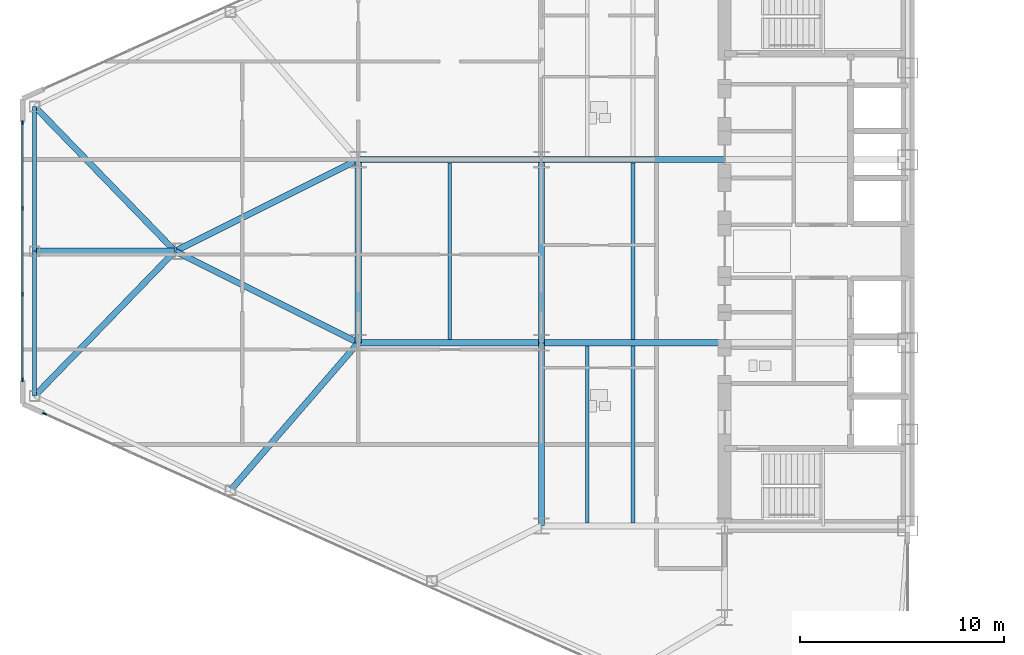
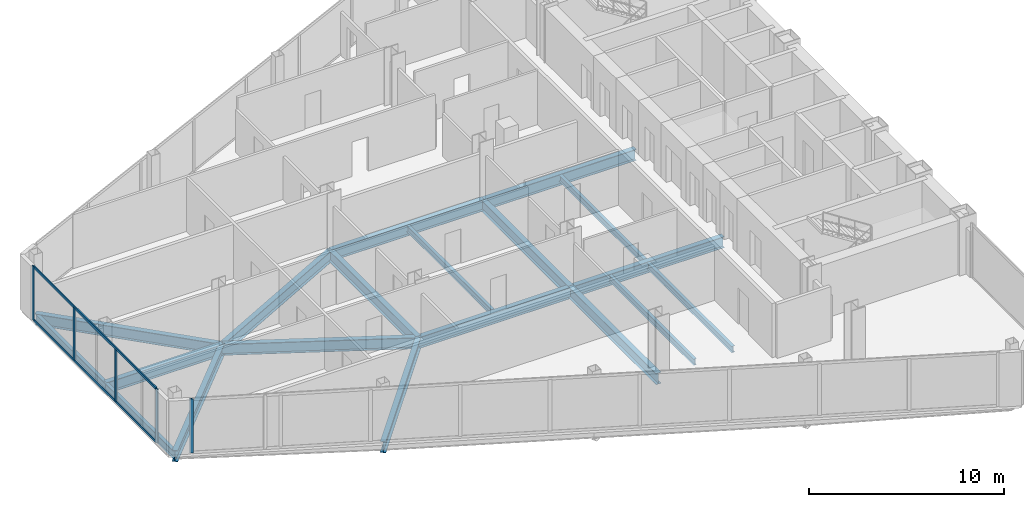
# One storey, part 5 of 27: 19 beams, 7 members, 2 elements without a shape of their own.
"""IFC4 building model written with IfcOpenShell, lengths in metres."""

from ifc_helpers import new_model, si_unit, direction, frame, origin, origin_2d, place, context, subcontext, project, spatial, rectangle, i_section, extrude, source, transform, mapped, material, layer, layer_set, material_profile, profile_set, type_object, type_shapes, element, aggregate, save


model = new_model("IFC4")

# Units and contexts
model_context = context("Model", 3, precision=1e-05, world=origin(), true_north=direction((0.0, 1.0)))
body_context = subcontext(model_context, "Body", "Model", "MODEL_VIEW")
ifc_project = project(units=[si_unit("LENGTHUNIT", "METRE"), si_unit("AREAUNIT", "SQUARE_METRE"), si_unit("VOLUMEUNIT", "CUBIC_METRE"), si_unit("PLANEANGLEUNIT", "RADIAN"), si_unit("MASSUNIT", "GRAM", prefix="KILO")], contexts=[model_context])

# Site, building, storey
site_placement = place(None, origin())
site = spatial("IfcSite", under=ifc_project, at=site_placement, CompositionType="ELEMENT")
building_placement = place(site_placement, origin())
building = spatial("IfcBuilding", under=site, at=building_placement, Name="Seokmaru Belvedere", CompositionType="ELEMENT")
storey_placement = place(building_placement, frame((0.0, 0.0, 80.10009765625)))
storey = spatial("IfcBuildingStorey", under=building, at=storey_placement, Name="L21", CompositionType="ELEMENT", Elevation=80.10009765625)

# Beams
ifc_material_1 = material(Name="Steel SM355 (355 MPa)", Category="steel")
ifc_material_profile_1 = material_profile(ifc_material_1, i_section(OverallWidth=0.300048828125, OverallDepth=0.699951171875, WebThickness=0.012939453125, FlangeThickness=0.02392578125, at=origin_2d()), Name="H-700x300x13x24")
ifc_profile_set_1 = profile_set([ifc_material_profile_1], Name="Steel SM355 (355 MPa)")
beam_type_1 = type_object("IfcBeamType", Name="Primary Floor Girder H-700", PredefinedType="BEAM", material=ifc_profile_set_1)
shared_shape_1 = source(origin(), body_context, "Body", "SweptSolid", [
    extrude(i_section(OverallWidth=0.300048828125, OverallDepth=0.699951171875, WebThickness=0.012939453125, FlangeThickness=0.02392578125, at=origin_2d()), origin(), (0.0, 0.0, 1.0), 9.0),
])
for number, where, z_axis, x_axis, name in (
    (1, (-45.5, -13.5, -0.570068359375), (0.0, 1.0, 0.0), (-1.0, 0.0, 0.0), "L21 W Interior Grid Girder 1"),
    (2, (-45.5, -4.5, -0.570068359375), (0.0, 1.0, 0.0), (-1.0, 0.0, 0.0), "L21 W Interior Grid Girder 2"),
    (3, (-45.5, -4.5, -0.570068359375), (1.0, 0.0, 0.0), (0.0, 1.0, 0.0), "L21 W Wing Primary Girder 2"),
    (4, (-45.5, 4.5, -0.570068359375), (1.0, 0.0, 0.0), (0.0, 1.0, 0.0), "L21 W Wing Primary Girder 3"),
    (5, (-54.5, -4.5, -0.570068359375), (1.0, 0.0, 0.0), (0.0, 1.0, 0.0), "L21 W Outer Wing Girder 1"),
    (6, (-54.5, 4.5, -0.570068359375), (1.0, 0.0, 0.0), (0.0, 1.0, 0.0), "L21 W Outer Wing Girder 2"),
    (7, (-54.5, -4.5, -0.570068359375), (0.0, 1.0, 0.0), (-1.0, 0.0, 0.0), "L21 W Apex Frame Girder"),
):
    element("IfcBeam", number, at=place(storey_placement, frame(where, z_axis=z_axis, x_axis=x_axis)), inside=storey, type_object=beam_type_1, Name=name, PredefinedType="BEAM", context=body_context, shape_type="MappedRepresentation", body=[
        mapped(shared_shape_1, transform((0.0, 0.0, 0.0), scale=1.0)),
    ])
shared_shape_2 = source(origin(), body_context, "Body", "SweptSolid", [
    extrude(i_section(OverallWidth=0.300048828125, OverallDepth=0.699951171875, WebThickness=0.012939453125, FlangeThickness=0.02392578125, at=origin_2d()), origin(), (0.0, 0.0, 1.0), 10.062255859375),
])
for number, where, z_axis, x_axis, name in (
    (8, (-54.5, -4.5, -0.570068359375), (-0.894427191, 0.4472135955, 0.0), (-0.4472135955, -0.894427191, 0.0), "L21 W Apex Converging Girder 1"),
    (9, (-54.5, 4.5, -0.570068359375), (-0.894427191, -0.4472135955, 0.0), (0.4472135955, -0.894427191, 0.0), "L21 W Apex Converging Girder 2"),
):
    element("IfcBeam", number, at=place(storey_placement, frame(where, z_axis=z_axis, x_axis=x_axis)), inside=storey, type_object=beam_type_1, Name=name, PredefinedType="BEAM", context=body_context, shape_type="MappedRepresentation", body=[
        mapped(shared_shape_2, transform((0.0, 0.0, 0.0), scale=1.0)),
    ])
ifc_material_profile_2 = material_profile(ifc_material_1, i_section(OverallWidth=0.18505859375, OverallDepth=0.389892578125, WebThickness=0.008056640625, FlangeThickness=0.011962890625, at=origin_2d()), Name="H-390x185x8x12")
ifc_profile_set_2 = profile_set([ifc_material_profile_2], Name="Steel SM355 (355 MPa)")
beam_type_2 = type_object("IfcBeamType", Name="Secondary Floor Joist H-350", PredefinedType="JOIST", material=ifc_profile_set_2)
shared_shape_3 = source(origin(), body_context, "Body", "SweptSolid", [
    extrude(i_section(OverallWidth=0.18505859375, OverallDepth=0.389892578125, WebThickness=0.008056640625, FlangeThickness=0.011962890625, at=origin_2d()), origin(), (0.0, 0.0, 1.0), 8.68994140625),
])
type_shapes(beam_type_2, [shared_shape_3])
for number, where, z_axis, x_axis, name in (
    (10, (-43.25, -13.344970703125, -0.4150390625), (0.0, 1.0, 0.0), (-1.0, 0.0, 0.0), "L21 W Wing Inner Secondary Joist 1"),
    (11, (-41.0, -13.344970703125, -0.4150390625), (0.0, 1.0, 0.0), (-1.0, 0.0, 0.0), "L21 W Secondary Floor Joist 1"),
    (12, (-41.0, -4.344970703125, -0.4150390625), (0.0, 1.0, 0.0), (-1.0, 0.0, 0.0), "L21 W Secondary Floor Joist 2"),
    (13, (-50.0, -4.344970703125, -0.4150390625), (0.0, 1.0, 0.0), (-1.0, 0.0, 0.0), "L21 W Outer Bay Secondary Joist"),
):
    element("IfcBeam", number, at=place(storey_placement, frame(where, z_axis=z_axis, x_axis=x_axis)), inside=storey, type_object=beam_type_2, Name=name, PredefinedType="JOIST", context=body_context, shape_type="MappedRepresentation", body=[
        mapped(shared_shape_3, transform((0.0, 0.0, 0.0), scale=1.0)),
    ])
ifc_material_profile_3 = material_profile(ifc_material_1, i_section(OverallWidth=0.199951171875, OverallDepth=0.5, WebThickness=0.010009765625, FlangeThickness=0.01611328125, at=origin_2d()), Name="H-500x200x10x16")
ifc_profile_set_3 = profile_set([ifc_material_profile_3], Name="Steel SM355 (355 MPa)")
beam_type_3 = type_object("IfcBeamType", Name="Perimeter Spandrel Beam H-500", PredefinedType="SPANDREL", material=ifc_profile_set_3)
shared_shape_4 = source(origin(), body_context, "Body", "SweptSolid", [
    extrude(i_section(OverallWidth=0.199951171875, OverallDepth=0.5, WebThickness=0.010009765625, FlangeThickness=0.01611328125, at=origin_2d()), origin(), (0.0, 0.0, 1.0), 7.112060546875),
])
type_shapes(beam_type_3, [shared_shape_4])
for number, where, z_axis, x_axis, name in (
    (14, (-70.39990234375, -7.112060546875, -0.47021484375), (0.0, 1.0, 0.0), (-1.0, 0.0, 0.0), "L21 W Faceted Apex Spandrel S"),
    (15, (-70.39990234375, 0.0, -0.47021484375), (0.0, 1.0, 0.0), (-1.0, 0.0, 0.0), "L21 W Faceted Apex Spandrel N"),
):
    element("IfcBeam", number, at=place(storey_placement, frame(where, z_axis=z_axis, x_axis=x_axis)), inside=storey, type_object=beam_type_3, Name=name, PredefinedType="SPANDREL", context=body_context, shape_type="MappedRepresentation", body=[
        mapped(shared_shape_4, transform((0.0, 0.0, 0.0), scale=1.0)),
    ])
shared_shape_5 = source(origin(), body_context, "Body", "SweptSolid", [
    extrude(i_section(OverallWidth=0.300048828125, OverallDepth=0.699951171875, WebThickness=0.012939453125, FlangeThickness=0.02392578125, at=origin_2d()), origin(), (0.0, 0.0, 1.0), 9.589599609375),
])
beam_1_placement = place(storey_placement, frame((-60.777587890625, -11.749267578125, -0.570068359375), z_axis=(0.654626140929, 0.755952786629, 0.0), x_axis=(-0.755952786629, 0.654626140929, 0.0)))
element("IfcBeam", 16, at=beam_1_placement, inside=storey, type_object=beam_type_1, Name="L21 W Flank Radial Floor Girder S-3", PredefinedType="BEAM", context=body_context, shape_type="MappedRepresentation", body=[
    mapped(shared_shape_5, transform((0.0, 0.0, 0.0), scale=1.0)),
])
shared_shape_6 = source(origin(), body_context, "Body", "SweptSolid", [
    extrude(i_section(OverallWidth=0.300048828125, OverallDepth=0.699951171875, WebThickness=0.012939453125, FlangeThickness=0.02392578125, at=origin_2d()), origin(), (0.0, 0.0, 1.0), 9.9091796875),
])
for number, where, z_axis, x_axis, name in (
    (17, (-70.39990234375, -7.112060546875, -0.570068359375), (0.6963205089, 0.717730972499, 0.0), (-0.717730972499, 0.6963205089, 0.0), "L21 W Apex Radial Floor Girder 1"),
    (18, (-70.39990234375, 7.112060546875, -0.570068359375), (0.6963205089, -0.717730972499, 0.0), (0.717730972499, 0.6963205089, 0.0), "L21 W Apex Radial Floor Girder 2"),
):
    element("IfcBeam", number, at=place(storey_placement, frame(where, z_axis=z_axis, x_axis=x_axis)), inside=storey, type_object=beam_type_1, Name=name, PredefinedType="BEAM", context=body_context, shape_type="MappedRepresentation", body=[
        mapped(shared_shape_6, transform((0.0, 0.0, 0.0), scale=1.0)),
    ])
shared_shape_7 = source(origin(), body_context, "Body", "SweptSolid", [
    extrude(i_section(OverallWidth=0.300048828125, OverallDepth=0.699951171875, WebThickness=0.012939453125, FlangeThickness=0.02392578125, at=origin_2d()), origin(), (0.0, 0.0, 1.0), 6.89990234375),
])
type_shapes(beam_type_1, [shared_shape_1, shared_shape_2, shared_shape_5, shared_shape_6, shared_shape_7])
beam_2_placement = place(storey_placement, frame((-70.39990234375, 0.0, -0.570068359375), z_axis=(1.0, 0.0, 0.0), x_axis=(0.0, 1.0, 0.0)))
element("IfcBeam", 19, at=beam_2_placement, inside=storey, type_object=beam_type_1, Name="L21 W Apex Center Radial Girder", PredefinedType="BEAM", context=body_context, shape_type="MappedRepresentation", body=[
    mapped(shared_shape_7, transform((0.0, 0.0, 0.0), scale=1.0)),
])

# Curtain wall, members
ifc_material_2 = material(Name="Bronze Triple Insulating Glass", Category="glass")
ifc_layer = layer(ifc_material_2, 0.195068359375)
ifc_layer_set = layer_set([ifc_layer], Name="Bronze Triple Insulating Glass")
curtain_wall_type = type_object("IfcCurtainWallType", Name="Lower-Mid Tapered Curtain Wall System CW-3", PredefinedType="NOTDEFINED", material=ifc_layer_set)
curtain_wall_1_placement = place(storey_placement, origin())
curtain_wall_1 = element("IfcCurtainWall", 20, at=curtain_wall_1_placement, inside=storey, type_object=curtain_wall_type, Name="L21 Curtain Wall WF4", PredefinedType="NOTDEFINED")
ifc_material_3 = material(Name="Anodised Bronze Aluminium", Category="aluminium")
ifc_material_profile_4 = material_profile(ifc_material_3, rectangle(XDim=0.070068359375, YDim=0.195068359375, at=origin_2d()), Name="CW-M-70x195")
ifc_profile_set_4 = profile_set([ifc_material_profile_4], Name="Anodised Bronze Aluminium")
member_type_1 = type_object("IfcMemberType", Name="Bronze Unitised Mullion 70x195", PredefinedType="MULLION", material=ifc_profile_set_4)
shared_shape_8 = source(origin(), body_context, "Body", "SweptSolid", [
    extrude(rectangle(XDim=0.070068359375, YDim=0.195068359375, at=origin_2d()), origin(), (0.0, 0.0, 1.0), 3.3798828125),
])
member_1_placement = place(storey_placement, frame((-71.0, 6.31494140625, 0.0), z_axis=(0.0, 0.0, 1.0), x_axis=(1.0, 0.0, 0.0)))
member_1 = element("IfcMember", 21, at=member_1_placement, type_object=member_type_1, Name="CW:L21:WF4 Mullion 1", PredefinedType="MULLION", context=body_context, shape_type="MappedRepresentation", body=[
    mapped(shared_shape_8, transform((0.0, 0.0, 0.0), scale=1.0)),
])
member_2_placement = place(storey_placement, frame((-71.0, -6.31494140625, 0.0), z_axis=(0.0, 0.0, 1.0), x_axis=(1.0, 0.0, 0.0)))
member_2 = element("IfcMember", 22, at=member_2_placement, type_object=member_type_1, Name="CW:L21:WF4 Mullion 4", PredefinedType="MULLION", context=body_context, shape_type="MappedRepresentation", body=[
    mapped(shared_shape_8, transform((0.0, 0.0, 0.0), scale=1.0)),
])

# Curtain wall, member
curtain_wall_2_placement = place(storey_placement, origin())
curtain_wall_2 = element("IfcCurtainWall", 23, at=curtain_wall_2_placement, inside=storey, type_object=curtain_wall_type, Name="L21 Curtain Wall WF5", PredefinedType="NOTDEFINED")
member_3_placement = place(storey_placement, frame((-69.91943359375, -7.986328125, 0.0), z_axis=(0.0, 0.0, 1.0), x_axis=(0.41036554765, 0.91192111353, 0.0)))
member_3 = element("IfcMember", 24, at=member_3_placement, type_object=member_type_1, Name="CW:L21:WF5 Mullion 1", PredefinedType="MULLION", context=body_context, shape_type="MappedRepresentation", body=[
    mapped(shared_shape_8, transform((0.0, 0.0, 0.0), scale=1.0)),
])
aggregate(curtain_wall_2, [member_3])

# Member
shared_shape_9 = source(origin(), body_context, "Body", "SweptSolid", [
    extrude(rectangle(XDim=0.070068359375, YDim=0.195068359375, at=origin_2d()), origin(), (0.0, 0.0, 1.0), 3.239990234375),
])
type_shapes(member_type_1, [shared_shape_8, shared_shape_9])
member_4_placement = place(storey_placement, frame((-71.0, 2.11669921875, 0.06982421875), z_axis=(0.0, 0.0, 1.0), x_axis=(1.0, 0.0, 0.0)))
member_4 = element("IfcMember", 25, at=member_4_placement, type_object=member_type_1, Name="CW:L21:WF4 Mullion 2", PredefinedType="MULLION", context=body_context, shape_type="MappedRepresentation", body=[
    mapped(shared_shape_9, transform((0.0, 0.0, 0.0), scale=1.0)),
])

member_5_placement = place(storey_placement, frame((-71.0, -2.11669921875, 0.06982421875), z_axis=(0.0, 0.0, 1.0), x_axis=(1.0, 0.0, 0.0)))
member_5 = element("IfcMember", 26, at=member_5_placement, type_object=member_type_1, Name="CW:L21:WF4 Mullion 3", PredefinedType="MULLION", context=body_context, shape_type="MappedRepresentation", body=[
    mapped(shared_shape_9, transform((0.0, 0.0, 0.0), scale=1.0)),
])

ifc_material_profile_5 = material_profile(ifc_material_3, rectangle(XDim=0.070068359375, YDim=0.1650390625, at=origin_2d()), Name="CW-T-70x165")
ifc_profile_set_5 = profile_set([ifc_material_profile_5], Name="Anodised Bronze Aluminium")
member_type_2 = type_object("IfcMemberType", Name="Bronze Unitised Transom 70x165", PredefinedType="USERDEFINED", material=ifc_profile_set_5)
shared_shape_10 = source(origin(), body_context, "Body", "SweptSolid", [
    extrude(rectangle(XDim=0.070068359375, YDim=0.1650390625, at=origin_2d()), origin(), (0.0, 0.0, 1.0), 12.56005859375),
])
type_shapes(member_type_2, [shared_shape_10])
member_6_placement = place(storey_placement, frame((-71.0, 6.280029296875, 0.034912109375), z_axis=(0.0, -1.0, 0.0), x_axis=(1.0, 0.0, 0.0)))
member_6 = element("IfcMember", 27, at=member_6_placement, type_object=member_type_2, Name="CW:L21:WF4 Continuous Transom 1", ObjectType="TRANSOM", PredefinedType="USERDEFINED", context=body_context, shape_type="MappedRepresentation", body=[
    mapped(shared_shape_10, transform((0.0, 0.0, 0.0), scale=1.0)),
])

member_7_placement = place(storey_placement, frame((-71.0, 6.280029296875, 3.344970703125), z_axis=(0.0, -1.0, 0.0), x_axis=(1.0, 0.0, 0.0)))
member_7 = element("IfcMember", 28, at=member_7_placement, type_object=member_type_2, Name="CW:L21:WF4 Continuous Transom 2", ObjectType="TRANSOM", PredefinedType="USERDEFINED", context=body_context, shape_type="MappedRepresentation", body=[
    mapped(shared_shape_10, transform((0.0, 0.0, 0.0), scale=1.0)),
])

aggregate(curtain_wall_1, [member_1, member_4, member_5, member_2, member_6, member_7])

save(model, "model.ifc")
